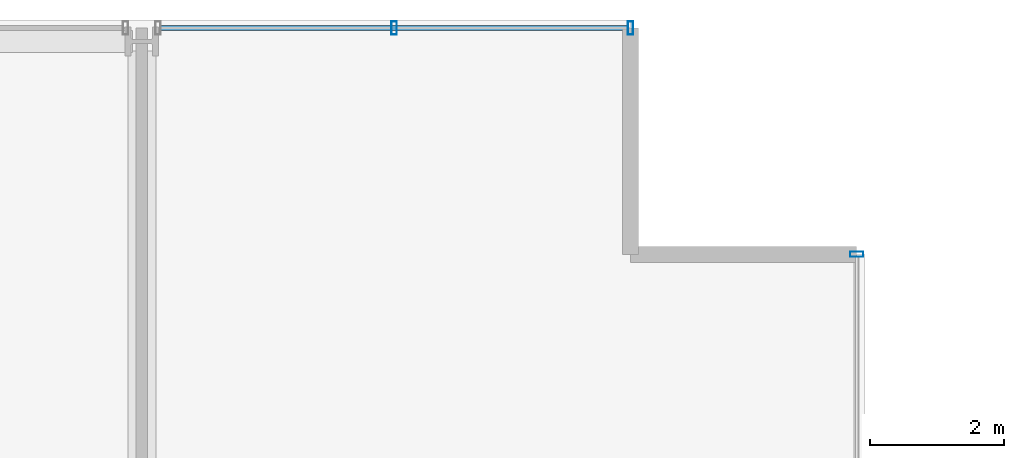
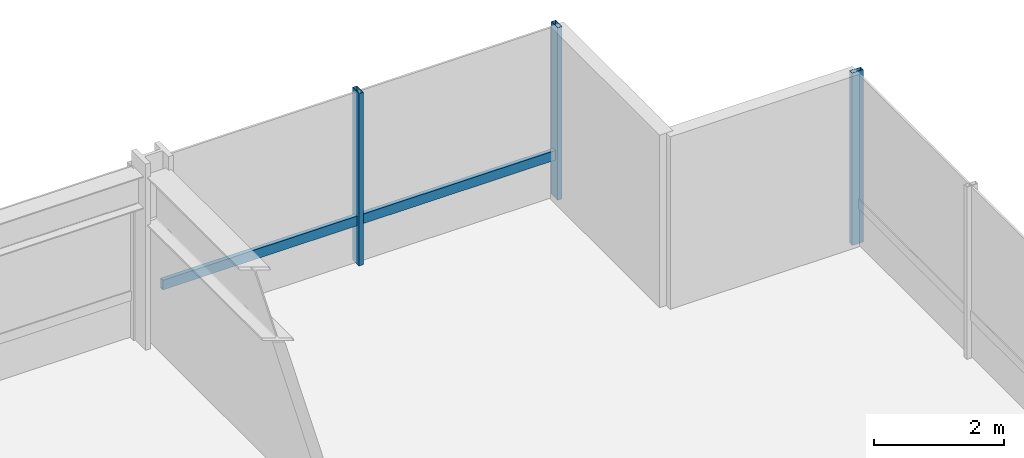
# One storey, part 28 of 37: 4 members, 2 elements without a shape of their own.
"""IFC4 building model written with IfcOpenShell, lengths in metres."""

from ifc_helpers import new_model, si_unit, direction, frame, origin, origin_2d, place, context, subcontext, project, spatial, hollow_rectangle, extrude, material, layer, layer_set, material_profile, profile_set, type_object, element, aggregate, save


model = new_model("IFC4")

# Units and contexts
model_context = context("Model", 3, precision=1e-05, world=origin(), true_north=direction((0.0, 1.0)))
body_context = subcontext(model_context, "Body", "Model", "MODEL_VIEW")
ifc_project = project(units=[si_unit("LENGTHUNIT", "METRE"), si_unit("AREAUNIT", "SQUARE_METRE"), si_unit("VOLUMEUNIT", "CUBIC_METRE"), si_unit("PLANEANGLEUNIT", "RADIAN"), si_unit("MASSUNIT", "GRAM", prefix="KILO")], contexts=[model_context])

# Site, building, storey
site_placement = place(None, origin())
site = spatial("IfcSite", under=ifc_project, at=site_placement, CompositionType="ELEMENT")
building_placement = place(site_placement, origin())
building = spatial("IfcBuilding", under=site, at=building_placement, Name="Drelvath Grand Hotel", CompositionType="ELEMENT")
storey_placement = place(building_placement, frame((0.0, 0.0, 43.699951171875)))
storey = spatial("IfcBuildingStorey", under=building, at=storey_placement, Name="L09", CompositionType="ELEMENT", Elevation=43.699951171875)

# Curtain wall, member
ifc_material = material(Name="Warm Bronze Anodised Aluminium Frame", Category="aluminium")
ifc_layer = layer(ifc_material, 0.199951171875)
ifc_layer_set = layer_set([ifc_layer], Name="Warm Bronze Anodised Aluminium Frame")
curtain_wall_type = type_object("IfcCurtainWallType", Name="Stick Curtain Wall CW-02 Warm Bronze Low-Rise", PredefinedType="NOTDEFINED", material=ifc_layer_set)
curtain_wall_1_placement = place(storey_placement, origin())
curtain_wall_1 = element("IfcCurtainWall", 1, at=curtain_wall_1_placement, inside=storey, type_object=curtain_wall_type, Name="L09 CW-02 Curtain Wall CW02-L09-NE3", PredefinedType="NOTDEFINED")
ifc_material_profile_1 = material_profile(ifc_material, hollow_rectangle(XDim=0.074951171875, YDim=0.179931640625, WallThickness=0.0048828125, at=origin_2d()), Name="HSS180X75X5")
ifc_profile_set_1 = profile_set([ifc_material_profile_1], Name="Warm Bronze Anodised Aluminium Frame")
member_type_1 = type_object("IfcMemberType", Name="Curtain Wall Horizontal Transom CW-02 HSS180X75X5", PredefinedType="USERDEFINED", material=ifc_profile_set_1)
member_1_placement = place(storey_placement, frame((16.48095703125, 53.8798828125, 0.81005859375), z_axis=(1.0, 0.0, 0.0), x_axis=(0.0, 1.0, 0.0)))
member_1 = element("IfcMember", 2, at=member_1_placement, type_object=member_type_1, Name="CW02-L09-NE3 Sill Transom", ObjectType="TRANSOM", PredefinedType="USERDEFINED", context=body_context, shape_type="SweptSolid", body=[
    extrude(hollow_rectangle(XDim=0.074951171875, YDim=0.179931640625, WallThickness=0.0048828125, at=origin_2d()), origin(), (0.0, 0.0, 1.0), 6.97900390625),
])

curtain_wall_2_placement = place(storey_placement, origin())
curtain_wall_2 = element("IfcCurtainWall", 3, at=curtain_wall_2_placement, inside=storey, type_object=curtain_wall_type, Name="L09 CW-02 Curtain Wall CW02-L09-EN3", PredefinedType="NOTDEFINED")
ifc_material_profile_2 = material_profile(ifc_material, hollow_rectangle(XDim=0.080078125, YDim=0.199951171875, WallThickness=0.0048828125, at=origin_2d()), Name="HSS200X80X5")
ifc_profile_set_2 = profile_set([ifc_material_profile_2], Name="Warm Bronze Anodised Aluminium Frame")
member_type_2 = type_object("IfcMemberType", Name="Curtain Wall Vertical Mullion CW-02 HSS200X80X5", PredefinedType="MULLION", material=ifc_profile_set_2)
member_2_placement = place(storey_placement, frame((26.8798828125, 50.5, 0.0), z_axis=(0.0, 0.0, 1.0), x_axis=(0.0, 1.0, 0.0)))
member_2 = element("IfcMember", 4, at=member_2_placement, type_object=member_type_2, Name="CW02-L09-EN3 Mullion 1", PredefinedType="MULLION", context=body_context, shape_type="SweptSolid", body=[
    extrude(hollow_rectangle(XDim=0.080078125, YDim=0.199951171875, WallThickness=0.0048828125, at=origin_2d()), origin(), (0.0, 0.0, 1.0), 3.239990234375),
])
aggregate(curtain_wall_2, [member_2])

# Member
member_3_placement = place(storey_placement, frame((19.970458984375, 53.8798828125, 0.0), z_axis=(0.0, 0.0, 1.0), x_axis=(1.0, 0.0, 0.0)))
member_3 = element("IfcMember", 5, at=member_3_placement, type_object=member_type_2, Name="CW02-L09-NE3 Mullion 2", PredefinedType="MULLION", context=body_context, shape_type="SweptSolid", body=[
    extrude(hollow_rectangle(XDim=0.080078125, YDim=0.199951171875, WallThickness=0.0048828125, at=origin_2d()), origin(), (0.0, 0.0, 1.0), 3.239990234375),
])

member_4_placement = place(storey_placement, frame((23.5, 53.8798828125, 0.0), z_axis=(0.0, 0.0, 1.0), x_axis=(1.0, 0.0, 0.0)))
member_4 = element("IfcMember", 6, at=member_4_placement, type_object=member_type_2, Name="CW02-L09-NE3 Mullion 3", PredefinedType="MULLION", context=body_context, shape_type="SweptSolid", body=[
    extrude(hollow_rectangle(XDim=0.080078125, YDim=0.199951171875, WallThickness=0.0048828125, at=origin_2d()), origin(), (0.0, 0.0, 1.0), 3.239990234375),
])

aggregate(curtain_wall_1, [member_3, member_4, member_1])

save(model, "model.ifc")
